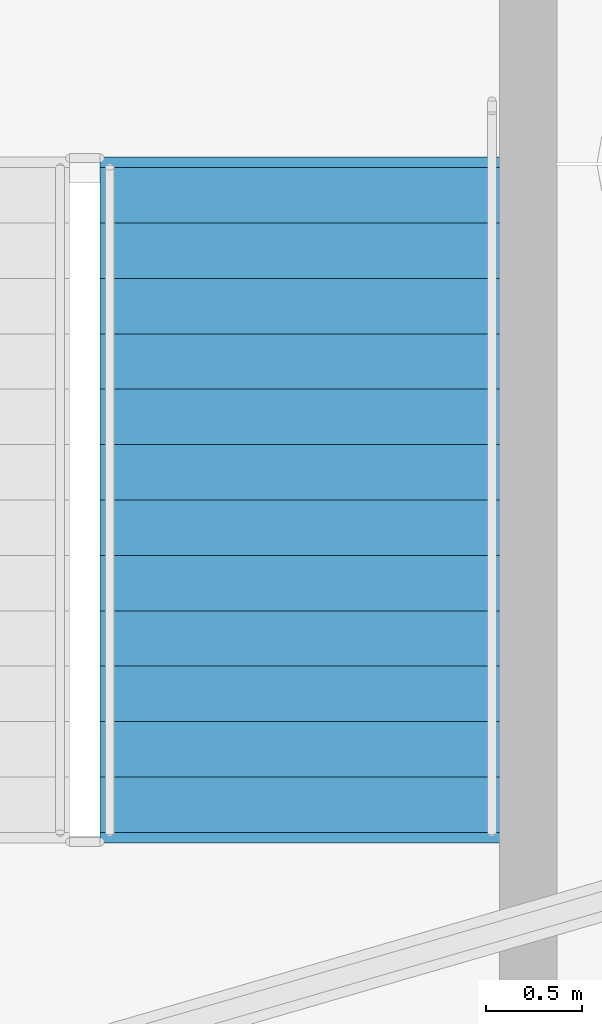
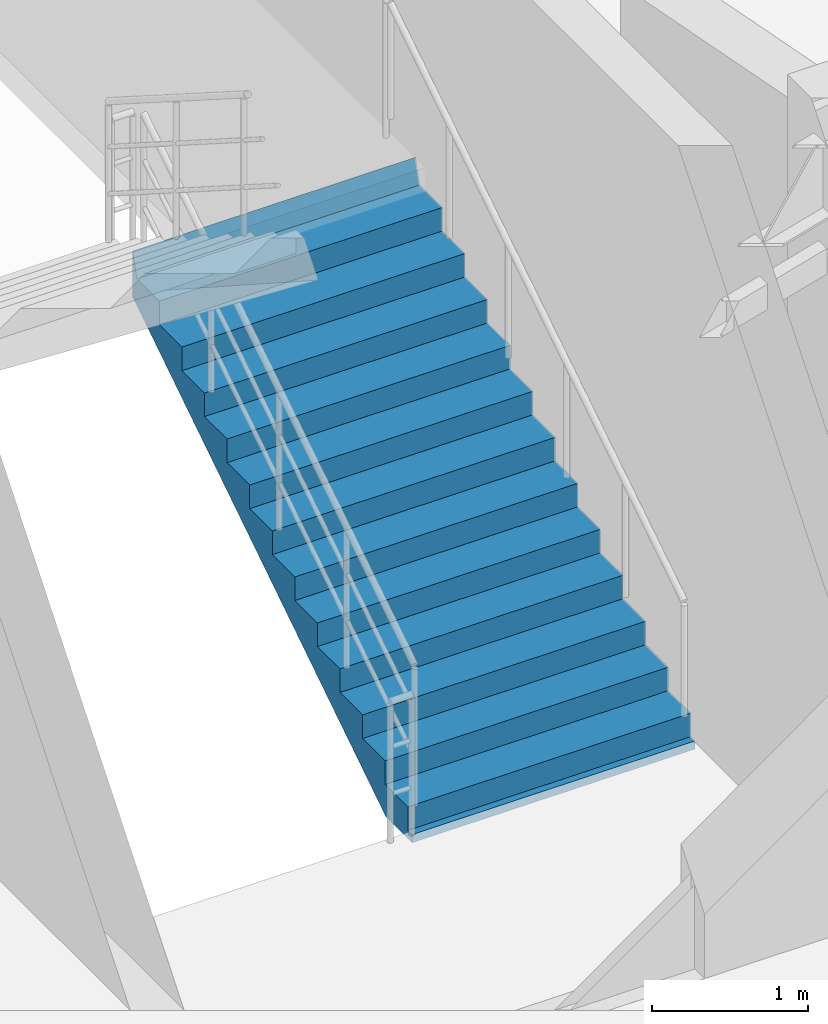
# One storey, part 119 of 144: 1 stair flight, 1 element without a shape of its own.
"""IFC4 building model written with IfcOpenShell, lengths in metres."""

from ifc_helpers import new_model, si_unit, direction, frame, origin, place, context, subcontext, project, spatial, polyline, outline, extrude, material, type_object, element, aggregate, save


model = new_model("IFC4")

# Units and contexts
model_context = context("Model", 3, precision=1e-05, world=origin(), true_north=direction((0.0, 1.0)))
body_context = subcontext(model_context, "Body", "Model", "MODEL_VIEW")
ifc_project = project(units=[si_unit("LENGTHUNIT", "METRE"), si_unit("AREAUNIT", "SQUARE_METRE"), si_unit("VOLUMEUNIT", "CUBIC_METRE"), si_unit("PLANEANGLEUNIT", "RADIAN"), si_unit("MASSUNIT", "GRAM", prefix="KILO")], contexts=[model_context])

# Site, building, storey
site_placement = place(None, origin())
site = spatial("IfcSite", under=ifc_project, at=site_placement, CompositionType="ELEMENT")
building_placement = place(site_placement, origin())
building = spatial("IfcBuilding", under=site, at=building_placement, Name="Cinderbank Siding Concert Hall", CompositionType="ELEMENT")
storey_placement = place(building_placement, frame((0.0, 0.0, 5.39990234375)))
storey = spatial("IfcBuildingStorey", under=building, at=storey_placement, Name="L02", CompositionType="ELEMENT", Elevation=5.39990234375)

# Stair, stair flight
ifc_material = material(Name="Reinforced concrete AS 3600 N50 (50 MPa)", Category="concrete")
stair_type = type_object("IfcStairType", Name="STR-D Dogleg Exit Stair 2100mm", PredefinedType="HALF_TURN_STAIR", material=ifc_material)
stair_placement = place(storey_placement, origin())
stair = element("IfcStair", 1, at=stair_placement, inside=storey, type_object=stair_type, Name="L02 West Drum Exit Stair ST-04", PredefinedType="HALF_TURN_STAIR")
stair_flight_type = type_object("IfcStairFlightType", Name="SFL-D Concrete Stair Flight 2100mm", PredefinedType="STRAIGHT", material=ifc_material)
stair_flight_placement = place(storey_placement, frame((100.85009765625, 40.5, 0.0), z_axis=(0.0, 0.0, 1.0), x_axis=(0.0, 1.0, 0.0)))
stair_flight = element("IfcStairFlight", 2, at=stair_flight_placement, type_object=stair_flight_type, Name="ST-04 flight 1", NumberOfRisers=13, NumberOfTreads=12, PredefinedType="STRAIGHT", RiserHeight=0.184615385, TreadLength=0.29, context=body_context, shape_type="SweptSolid", body=[
    extrude(outline(polyline([(0.0, 0.0), (0.0, 0.1845703125), (0.2900390625, 0.1845703125), (0.2900390625, 0.369140625), (0.580078125, 0.369140625), (0.580078125, 0.553955078125), (0.8701171875, 0.553955078125), (0.8701171875, 0.738525390625), (1.159912109375, 0.738525390625), (1.159912109375, 0.923095703125), (1.449951171875, 0.923095703125), (1.449951171875, 1.107666015625), (1.739990234375, 1.107666015625), (1.739990234375, 1.292236328125), (2.030029296875, 1.292236328125), (2.030029296875, 1.476806640625), (2.320068359375, 1.476806640625), (2.320068359375, 1.66162109375), (2.610107421875, 1.66162109375), (2.610107421875, 1.84619140625), (2.89990234375, 1.84619140625), (2.89990234375, 2.03076171875), (3.18994140625, 2.03076171875), (3.18994140625, 2.21533203125), (3.47998046875, 2.21533203125), (3.534912109375, 2.39990234375), (3.534912109375, 2.03759765625), (3.53466796875, 2.037841796875), (3.53466796875, 2.0380859375), (3.53466796875, 2.038330078125), (3.53466796875, 2.03857421875), (3.53466796875, 2.038818359375), (3.53466796875, 2.0390625), (3.53466796875, 2.039306640625), (3.53466796875, 2.03955078125), (3.53466796875, 2.039794921875), (3.53466796875, 2.0400390625), (3.53466796875, 2.040283203125), (3.53466796875, 2.04052734375), (3.534423828125, 2.04052734375), (3.534423828125, 2.040283203125), (3.534423828125, 2.0400390625), (3.534423828125, 2.039794921875), (3.534423828125, 2.03955078125), (3.534423828125, 2.039306640625), (3.534423828125, 2.0390625), (3.534423828125, 2.038818359375), (3.534423828125, 2.03857421875), (3.534423828125, 2.038330078125), (3.534423828125, 2.0380859375), (3.534423828125, 2.037841796875), (3.534423828125, 2.03759765625), (3.5341796875, 2.037841796875), (3.5341796875, 2.0380859375), (3.5341796875, 2.038330078125), (3.5341796875, 2.03857421875), (3.5341796875, 2.038818359375), (3.5341796875, 2.0390625), (3.5341796875, 2.039306640625), (3.5341796875, 2.03955078125), (3.5341796875, 2.039794921875), (3.5341796875, 2.0400390625), (3.5341796875, 2.040283203125), (3.5341796875, 2.04052734375), (3.533935546875, 2.04052734375), (3.533935546875, 2.040283203125), (3.533935546875, 2.0400390625), (3.533935546875, 2.039794921875), (3.533935546875, 2.03955078125), (3.533935546875, 2.039306640625), (3.533935546875, 2.0390625), (3.533935546875, 2.038818359375), (3.533935546875, 2.03857421875), (3.533935546875, 2.038330078125), (3.533935546875, 2.0380859375), (3.533935546875, 2.037841796875), (3.533935546875, 2.03759765625), (3.53369140625, 2.037841796875), (3.53369140625, 2.0380859375), (3.53369140625, 2.038330078125), (3.53369140625, 2.03857421875), (3.53369140625, 2.038818359375), (3.53369140625, 2.0390625), (3.53369140625, 2.039306640625), (3.53369140625, 2.03955078125), (3.53369140625, 2.039794921875), (3.53369140625, 2.0400390625), (3.53369140625, 2.040283203125), (3.53369140625, 2.04052734375), (3.533447265625, 2.04052734375), (3.533447265625, 2.040283203125), (3.533447265625, 2.0400390625), (3.533447265625, 2.039794921875), (3.533447265625, 2.03955078125), (3.533447265625, 2.039306640625), (3.533447265625, 2.0390625), (3.533447265625, 2.038818359375), (3.533447265625, 2.03857421875), (3.533447265625, 2.038330078125), (3.533447265625, 2.0380859375), (3.533447265625, 2.037841796875), (3.533447265625, 2.03759765625), (3.533203125, 2.037841796875), (3.533203125, 2.0380859375), (3.533203125, 2.038330078125), (3.533203125, 2.03857421875), (3.533203125, 2.038818359375), (3.533203125, 2.0390625), (3.533203125, 2.039306640625), (3.533203125, 2.03955078125), (3.533203125, 2.039794921875), (3.533203125, 2.0400390625), (3.533203125, 2.040283203125), (3.533203125, 2.04052734375), (3.532958984375, 2.04052734375), (3.532958984375, 2.040283203125), (3.532958984375, 2.0400390625), (3.532958984375, 2.039794921875), (3.532958984375, 2.03955078125), (3.532958984375, 2.039306640625), (3.532958984375, 2.0390625), (3.532958984375, 2.038818359375), (3.532958984375, 2.03857421875), (3.532958984375, 2.038330078125), (3.532958984375, 2.0380859375), (3.532958984375, 2.037841796875), (3.532958984375, 2.03759765625), (3.53271484375, 2.037841796875), (3.53271484375, 2.0380859375), (3.53271484375, 2.038330078125), (3.53271484375, 2.03857421875), (3.53271484375, 2.038818359375), (3.53271484375, 2.0390625), (3.53271484375, 2.039306640625), (3.53271484375, 2.03955078125), (3.53271484375, 2.039794921875), (3.53271484375, 2.0400390625), (3.53271484375, 2.040283203125), (3.53271484375, 2.04052734375), (3.532470703125, 2.04052734375), (3.532470703125, 2.040283203125), (3.532470703125, 2.0400390625), (3.532470703125, 2.039794921875), (3.532470703125, 2.03955078125), (3.532470703125, 2.039306640625), (3.532470703125, 2.0390625), (3.532470703125, 2.038818359375), (3.532470703125, 2.03857421875), (3.532470703125, 2.038330078125), (3.532470703125, 2.0380859375), (3.532470703125, 2.037841796875), (3.532470703125, 2.03759765625), (3.5322265625, 2.037841796875), (3.5322265625, 2.0380859375), (3.5322265625, 2.038330078125), (3.5322265625, 2.03857421875), (3.5322265625, 2.038818359375), (3.5322265625, 2.0390625), (3.5322265625, 2.039306640625), (3.5322265625, 2.03955078125), (3.5322265625, 2.039794921875), (3.5322265625, 2.0400390625), (3.5322265625, 2.040283203125), (3.5322265625, 2.04052734375), (3.531982421875, 2.04052734375), (3.531982421875, 2.040283203125), (3.531982421875, 2.0400390625), (3.531982421875, 2.039794921875), (3.531982421875, 2.03955078125), (3.531982421875, 2.039306640625), (3.531982421875, 2.0390625), (3.531982421875, 2.038818359375), (3.531982421875, 2.03857421875), (3.531982421875, 2.038330078125), (3.531982421875, 2.0380859375), (3.531982421875, 2.037841796875), (3.531982421875, 2.03759765625), (3.53173828125, 2.037841796875), (3.53173828125, 2.0380859375), (3.53173828125, 2.038330078125), (3.53173828125, 2.03857421875), (3.53173828125, 2.038818359375), (3.53173828125, 2.0390625), (3.53173828125, 2.039306640625), (3.53173828125, 2.03955078125), (3.53173828125, 2.039794921875), (3.53173828125, 2.0400390625), (3.53173828125, 2.040283203125), (3.53173828125, 2.04052734375), (3.531494140625, 2.04052734375), (3.531494140625, 2.040283203125), (3.531494140625, 2.0400390625), (3.531494140625, 2.039794921875), (3.531494140625, 2.03955078125), (3.531494140625, 2.039306640625), (3.531494140625, 2.0390625), (3.531494140625, 2.038818359375), (3.531494140625, 2.03857421875), (3.531494140625, 2.038330078125), (3.531494140625, 2.0380859375), (3.531494140625, 2.037841796875), (3.531494140625, 2.03759765625), (3.53125, 2.037841796875), (3.53125, 2.0380859375), (3.53125, 2.038330078125), (3.53125, 2.03857421875), (3.53125, 2.038818359375), (3.53125, 2.0390625), (3.53125, 2.039306640625), (3.53125, 2.03955078125), (3.53125, 2.039794921875), (3.53125, 2.0400390625), (3.53125, 2.040283203125), (3.53125, 2.04052734375), (3.531005859375, 2.04052734375), (3.531005859375, 2.040283203125), (3.531005859375, 2.0400390625), (3.531005859375, 2.039794921875), (3.531005859375, 2.03955078125), (3.531005859375, 2.039306640625), (3.531005859375, 2.0390625), (3.531005859375, 2.038818359375), (3.531005859375, 2.03857421875), (3.531005859375, 2.038330078125), (3.531005859375, 2.0380859375), (3.531005859375, 2.037841796875), (3.531005859375, 2.03759765625), (3.53076171875, 2.037841796875), (3.53076171875, 2.0380859375), (3.53076171875, 2.038330078125), (3.53076171875, 2.03857421875), (3.53076171875, 2.038818359375), (3.53076171875, 2.0390625), (3.53076171875, 2.039306640625), (3.53076171875, 2.03955078125), (3.53076171875, 2.039794921875), (3.53076171875, 2.0400390625), (3.53076171875, 2.040283203125), (3.53076171875, 2.04052734375), (3.530517578125, 2.04052734375), (3.530517578125, 2.040283203125), (3.530517578125, 2.0400390625), (3.530517578125, 2.039794921875), (3.530517578125, 2.03955078125), (3.530517578125, 2.039306640625), (3.530517578125, 2.0390625), (3.530517578125, 2.038818359375), (3.530517578125, 2.03857421875), (3.530517578125, 2.038330078125), (3.530517578125, 2.0380859375), (3.530517578125, 2.037841796875), (3.530517578125, 2.03759765625), (3.5302734375, 2.037841796875), (3.5302734375, 2.0380859375), (3.5302734375, 2.038330078125), (3.5302734375, 2.03857421875), (3.5302734375, 2.038818359375), (3.5302734375, 2.0390625), (3.5302734375, 2.039306640625), (3.5302734375, 2.03955078125), (3.5302734375, 2.039794921875), (3.5302734375, 2.0400390625), (3.5302734375, 2.040283203125), (3.5302734375, 2.04052734375), (3.530029296875, 2.04052734375), (3.530029296875, 2.040283203125), (3.530029296875, 2.0400390625), (3.530029296875, 2.039794921875), (3.530029296875, 2.03955078125), (3.530029296875, 2.039306640625), (3.530029296875, 2.0390625), (3.530029296875, 2.038818359375), (3.530029296875, 2.03857421875), (3.530029296875, 2.038330078125), (3.530029296875, 2.0380859375), (3.530029296875, 2.037841796875), (3.530029296875, 2.03759765625), (3.52978515625, 2.037841796875), (3.52978515625, 2.0380859375), (3.52978515625, 2.038330078125), (3.52978515625, 2.03857421875), (3.52978515625, 2.038818359375), (3.52978515625, 2.0390625), (3.52978515625, 2.039306640625), (3.52978515625, 2.03955078125), (3.52978515625, 2.039794921875), (3.52978515625, 2.0400390625), (3.52978515625, 2.040283203125), (3.52978515625, 2.04052734375), (3.529541015625, 2.04052734375), (3.529541015625, 2.040283203125), (3.529541015625, 2.0400390625), (3.529541015625, 2.039794921875), (3.529541015625, 2.03955078125), (3.529541015625, 2.039306640625), (3.529541015625, 2.0390625), (3.529541015625, 2.038818359375), (3.529541015625, 2.03857421875), (3.529541015625, 2.038330078125), (3.529541015625, 2.0380859375), (3.529541015625, 2.037841796875), (3.529541015625, 2.03759765625), (3.529296875, 2.037841796875), (3.529296875, 2.0380859375), (3.529296875, 2.038330078125), (3.529296875, 2.03857421875), (3.529296875, 2.038818359375), (3.529296875, 2.0390625), (3.529296875, 2.039306640625), (3.529296875, 2.03955078125), (3.529296875, 2.039794921875), (3.529296875, 2.0400390625), (3.529296875, 2.040283203125), (3.529296875, 2.04052734375), (3.529052734375, 2.04052734375), (3.529052734375, 2.040283203125), (3.529052734375, 2.0400390625), (3.529052734375, 2.039794921875), (3.529052734375, 2.03955078125), (3.529052734375, 2.039306640625), (3.529052734375, 2.0390625), (3.529052734375, 2.038818359375), (3.529052734375, 2.03857421875), (3.529052734375, 2.038330078125), (3.529052734375, 2.0380859375), (3.529052734375, 2.037841796875), (3.529052734375, 2.03759765625), (3.52880859375, 2.037841796875), (3.52880859375, 2.0380859375), (3.52880859375, 2.038330078125), (3.52880859375, 2.03857421875), (3.52880859375, 2.038818359375), (3.52880859375, 2.0390625), (3.52880859375, 2.039306640625), (3.52880859375, 2.03955078125), (3.52880859375, 2.039794921875), (3.52880859375, 2.0400390625), (3.52880859375, 2.040283203125), (3.52880859375, 2.04052734375), (3.528564453125, 2.04052734375), (3.528564453125, 2.040283203125), (3.528564453125, 2.0400390625), (3.528564453125, 2.039794921875), (3.528564453125, 2.03955078125), (3.528564453125, 2.039306640625), (3.528564453125, 2.0390625), (3.528564453125, 2.038818359375), (3.528564453125, 2.03857421875), (3.528564453125, 2.038330078125), (3.528564453125, 2.0380859375), (3.528564453125, 2.037841796875), (3.528564453125, 2.03759765625), (0.279052734375, -0.06396484375), (-0.048583984375, -0.063720703125), (-0.048583984375, -0.0634765625), (-0.048583984375, -0.063232421875), (-0.048583984375, -0.06298828125), (-0.048583984375, -0.062744140625), (-0.048583984375, -0.0625), (-0.048583984375, -0.062255859375), (-0.048583984375, -0.06201171875), (-0.048583984375, -0.061767578125), (-0.048583984375, -0.0615234375), (-0.048583984375, -0.061279296875), (-0.048583984375, -0.06103515625), (-0.048828125, -0.06103515625), (-0.048828125, -0.061279296875), (-0.048828125, -0.0615234375), (-0.048828125, -0.061767578125), (-0.048828125, -0.06201171875), (-0.048828125, -0.062255859375), (-0.048828125, -0.0625), (-0.048828125, -0.062744140625), (-0.048828125, -0.06298828125), (-0.048828125, -0.063232421875), (-0.048828125, -0.0634765625), (-0.048828125, -0.063720703125), (-0.048828125, -0.06396484375), (-0.049072265625, -0.063720703125), (-0.049072265625, -0.0634765625), (-0.049072265625, -0.063232421875), (-0.049072265625, -0.06298828125), (-0.049072265625, -0.062744140625), (-0.049072265625, -0.0625), (-0.049072265625, -0.062255859375), (-0.049072265625, -0.06201171875), (-0.049072265625, -0.061767578125), (-0.049072265625, -0.0615234375), (-0.049072265625, -0.061279296875), (-0.049072265625, -0.06103515625), (-0.04931640625, -0.06103515625), (-0.04931640625, -0.061279296875), (-0.04931640625, -0.0615234375), (-0.04931640625, -0.061767578125), (-0.04931640625, -0.06201171875), (-0.04931640625, -0.062255859375), (-0.04931640625, -0.0625), (-0.04931640625, -0.062744140625), (-0.04931640625, -0.06298828125), (-0.04931640625, -0.063232421875), (-0.04931640625, -0.0634765625), (-0.04931640625, -0.063720703125), (-0.04931640625, -0.06396484375), (-0.049560546875, -0.063720703125), (-0.049560546875, -0.0634765625), (-0.049560546875, -0.063232421875), (-0.049560546875, -0.06298828125), (-0.049560546875, -0.062744140625), (-0.049560546875, -0.0625), (-0.049560546875, -0.062255859375), (-0.049560546875, -0.06201171875), (-0.049560546875, -0.061767578125), (-0.049560546875, -0.0615234375), (-0.049560546875, -0.061279296875), (-0.049560546875, -0.06103515625), (-0.0498046875, -0.06103515625), (-0.0498046875, -0.061279296875), (-0.0498046875, -0.0615234375), (-0.0498046875, -0.061767578125), (-0.0498046875, -0.06201171875), (-0.0498046875, -0.062255859375), (-0.0498046875, -0.0625), (-0.0498046875, -0.062744140625), (-0.0498046875, -0.06298828125), (-0.0498046875, -0.063232421875), (-0.0498046875, -0.0634765625), (-0.0498046875, -0.063720703125), (-0.0498046875, -0.06396484375), (-0.050048828125, -0.063720703125), (-0.050048828125, -0.0634765625), (-0.050048828125, -0.063232421875), (-0.050048828125, -0.06298828125), (-0.050048828125, -0.062744140625), (-0.050048828125, -0.0625), (-0.050048828125, -0.062255859375), (-0.050048828125, -0.06201171875), (-0.050048828125, -0.061767578125), (-0.050048828125, -0.0615234375), (-0.050048828125, -0.061279296875), (-0.050048828125, -0.06103515625), (-0.05029296875, -0.06103515625), (-0.05029296875, -0.061279296875), (-0.05029296875, -0.0615234375), (-0.05029296875, -0.061767578125), (-0.05029296875, -0.06201171875), (-0.05029296875, -0.062255859375), (-0.05029296875, -0.0625), (-0.05029296875, -0.062744140625), (-0.05029296875, -0.06298828125), (-0.05029296875, -0.063232421875), (-0.05029296875, -0.0634765625), (-0.05029296875, -0.063720703125), (-0.05029296875, -0.06396484375), (-0.050537109375, -0.063720703125), (-0.050537109375, -0.0634765625), (-0.050537109375, -0.063232421875), (-0.050537109375, -0.06298828125), (-0.050537109375, -0.062744140625), (-0.050537109375, -0.0625), (-0.050537109375, -0.062255859375), (-0.050537109375, -0.06201171875), (-0.050537109375, -0.061767578125), (-0.050537109375, -0.0615234375), (-0.050537109375, -0.061279296875), (-0.050537109375, -0.06103515625), (-0.05078125, -0.06103515625), (-0.05078125, -0.061279296875), (-0.05078125, -0.0615234375), (-0.05078125, -0.061767578125), (-0.05078125, -0.06201171875), (-0.05078125, -0.062255859375), (-0.05078125, -0.0625), (-0.05078125, -0.062744140625), (-0.05078125, -0.06298828125), (-0.05078125, -0.063232421875), (-0.05078125, -0.0634765625), (-0.05078125, -0.063720703125), (-0.05078125, -0.06396484375), (-0.051025390625, -0.063720703125), (-0.051025390625, -0.0634765625), (-0.051025390625, -0.063232421875), (-0.051025390625, -0.06298828125), (-0.051025390625, -0.062744140625), (-0.051025390625, -0.0625), (-0.051025390625, -0.062255859375), (-0.051025390625, -0.06201171875), (-0.051025390625, -0.061767578125), (-0.051025390625, -0.0615234375), (-0.051025390625, -0.061279296875), (-0.051025390625, -0.06103515625), (-0.05126953125, -0.06103515625), (-0.05126953125, -0.061279296875), (-0.05126953125, -0.0615234375), (-0.05126953125, -0.061767578125), (-0.05126953125, -0.06201171875), (-0.05126953125, -0.062255859375), (-0.05126953125, -0.0625), (-0.05126953125, -0.062744140625), (-0.05126953125, -0.06298828125), (-0.05126953125, -0.063232421875), (-0.05126953125, -0.0634765625), (-0.05126953125, -0.063720703125), (-0.05126953125, -0.06396484375), (-0.051513671875, -0.063720703125), (-0.051513671875, -0.0634765625), (-0.051513671875, -0.063232421875), (-0.051513671875, -0.06298828125), (-0.051513671875, -0.062744140625), (-0.051513671875, -0.0625), (-0.051513671875, -0.062255859375), (-0.051513671875, -0.06201171875), (-0.051513671875, -0.061767578125), (-0.051513671875, -0.0615234375), (-0.051513671875, -0.061279296875), (-0.051513671875, -0.06103515625), (-0.0517578125, -0.06103515625), (-0.0517578125, -0.061279296875), (-0.0517578125, -0.0615234375), (-0.0517578125, -0.061767578125), (-0.0517578125, -0.06201171875), (-0.0517578125, -0.062255859375), (-0.0517578125, -0.0625), (-0.0517578125, -0.062744140625), (-0.0517578125, -0.06298828125), (-0.0517578125, -0.063232421875), (-0.0517578125, -0.0634765625), (-0.0517578125, -0.063720703125), (-0.0517578125, -0.06396484375), (-0.052001953125, -0.063720703125), (-0.052001953125, -0.0634765625), (-0.052001953125, -0.063232421875), (-0.052001953125, -0.06298828125), (-0.052001953125, -0.062744140625), (-0.052001953125, -0.0625), (-0.052001953125, -0.062255859375), (-0.052001953125, -0.06201171875), (-0.052001953125, -0.061767578125), (-0.052001953125, -0.0615234375), (-0.052001953125, -0.061279296875), (-0.052001953125, -0.06103515625), (-0.05224609375, -0.06103515625), (-0.05224609375, -0.061279296875), (-0.05224609375, -0.0615234375), (-0.05224609375, -0.061767578125), (-0.05224609375, -0.06201171875), (-0.05224609375, -0.062255859375), (-0.05224609375, -0.0625), (-0.05224609375, -0.062744140625), (-0.05224609375, -0.06298828125), (-0.05224609375, -0.063232421875), (-0.05224609375, -0.0634765625), (-0.05224609375, -0.063720703125), (-0.05224609375, -0.06396484375), (-0.052490234375, -0.063720703125), (-0.052490234375, -0.0634765625), (-0.052490234375, -0.063232421875), (-0.052490234375, -0.06298828125), (-0.052490234375, -0.062744140625), (-0.052490234375, -0.0625), (-0.052490234375, -0.062255859375), (-0.052490234375, -0.06201171875), (-0.052490234375, -0.061767578125), (-0.052490234375, -0.0615234375), (-0.052490234375, -0.061279296875), (-0.052490234375, -0.06103515625), (-0.052734375, -0.06103515625), (-0.052734375, -0.061279296875), (-0.052734375, -0.0615234375), (-0.052734375, -0.061767578125), (-0.052734375, -0.06201171875), (-0.052734375, -0.062255859375), (-0.052734375, -0.0625), (-0.052734375, -0.062744140625), (-0.052734375, -0.06298828125), (-0.052734375, -0.063232421875), (-0.052734375, -0.0634765625), (-0.052734375, -0.063720703125), (-0.052734375, -0.06396484375), (-0.052978515625, -0.063720703125), (-0.052978515625, -0.0634765625), (-0.052978515625, -0.063232421875), (-0.052978515625, -0.06298828125), (-0.052978515625, -0.062744140625), (-0.052978515625, -0.0625), (-0.052978515625, -0.062255859375), (-0.052978515625, -0.06201171875), (-0.052978515625, -0.061767578125), (-0.052978515625, -0.0615234375), (-0.052978515625, -0.061279296875), (-0.052978515625, -0.06103515625), (-0.05322265625, -0.06103515625), (-0.05322265625, -0.061279296875), (-0.05322265625, -0.0615234375), (-0.05322265625, -0.061767578125), (-0.05322265625, -0.06201171875), (-0.05322265625, -0.062255859375), (-0.05322265625, -0.0625), (-0.05322265625, -0.062744140625), (-0.05322265625, -0.06298828125), (-0.05322265625, -0.063232421875), (-0.05322265625, -0.0634765625), (-0.05322265625, -0.063720703125), (-0.05322265625, -0.06396484375), (-0.053466796875, -0.063720703125), (-0.053466796875, -0.0634765625), (-0.053466796875, -0.063232421875), (-0.053466796875, -0.06298828125), (-0.053466796875, -0.062744140625), (-0.053466796875, -0.0625), (-0.053466796875, -0.062255859375), (-0.053466796875, -0.06201171875), (-0.053466796875, -0.061767578125), (-0.053466796875, -0.0615234375), (-0.053466796875, -0.061279296875), (-0.053466796875, -0.06103515625), (-0.0537109375, -0.06103515625), (-0.0537109375, -0.061279296875), (-0.0537109375, -0.0615234375), (-0.0537109375, -0.061767578125), (-0.0537109375, -0.06201171875), (-0.0537109375, -0.062255859375), (-0.0537109375, -0.0625), (-0.0537109375, -0.062744140625), (-0.0537109375, -0.06298828125), (-0.0537109375, -0.063232421875), (-0.0537109375, -0.0634765625), (-0.0537109375, -0.063720703125), (-0.0537109375, -0.06396484375), (-0.053955078125, -0.063720703125), (-0.053955078125, -0.0634765625), (-0.053955078125, -0.063232421875), (-0.053955078125, -0.06298828125), (-0.053955078125, -0.062744140625), (-0.053955078125, -0.0625), (-0.053955078125, -0.062255859375), (-0.053955078125, -0.06201171875), (-0.053955078125, -0.061767578125), (-0.053955078125, -0.0615234375), (-0.053955078125, -0.061279296875), (-0.053955078125, -0.06103515625), (-0.05419921875, -0.06103515625), (-0.05419921875, -0.061279296875), (-0.05419921875, -0.0615234375), (-0.05419921875, -0.061767578125), (-0.05419921875, -0.06201171875), (-0.05419921875, -0.062255859375), (-0.05419921875, -0.0625), (-0.05419921875, -0.062744140625), (-0.05419921875, -0.06298828125), (-0.05419921875, -0.063232421875), (-0.05419921875, -0.0634765625), (-0.05419921875, -0.063720703125), (-0.05419921875, -0.06396484375), (-0.054443359375, -0.063720703125), (-0.054443359375, -0.0634765625), (-0.054443359375, -0.063232421875), (-0.054443359375, -0.06298828125), (-0.054443359375, -0.062744140625), (-0.054443359375, -0.0625), (-0.054443359375, -0.062255859375), (-0.054443359375, -0.06201171875), (-0.054443359375, -0.061767578125), (-0.054443359375, -0.0615234375), (-0.054443359375, -0.061279296875), (-0.054443359375, -0.06103515625), (-0.0546875, -0.06103515625), (-0.0546875, -0.061279296875), (-0.0546875, -0.0615234375), (-0.0546875, -0.061767578125), (-0.0546875, -0.06201171875), (-0.0546875, -0.062255859375), (-0.0546875, -0.0625), (-0.0546875, -0.062744140625), (-0.0546875, -0.06298828125), (-0.0546875, -0.063232421875), (-0.0546875, -0.0634765625), (-0.0546875, -0.063720703125), (-0.0546875, -0.06396484375), (-0.054931640625, -0.06396484375), (-0.054931640625, 0.0), (0.0, 0.0)])), frame((0.0, 1.050048828125, 0.0), z_axis=(0.0, -1.0, 0.0), x_axis=(1.0, 0.0, 0.0)), (0.0, 0.0, 1.0), 2.10009765625),
])
aggregate(stair, [stair_flight])

save(model, "model.ifc")
